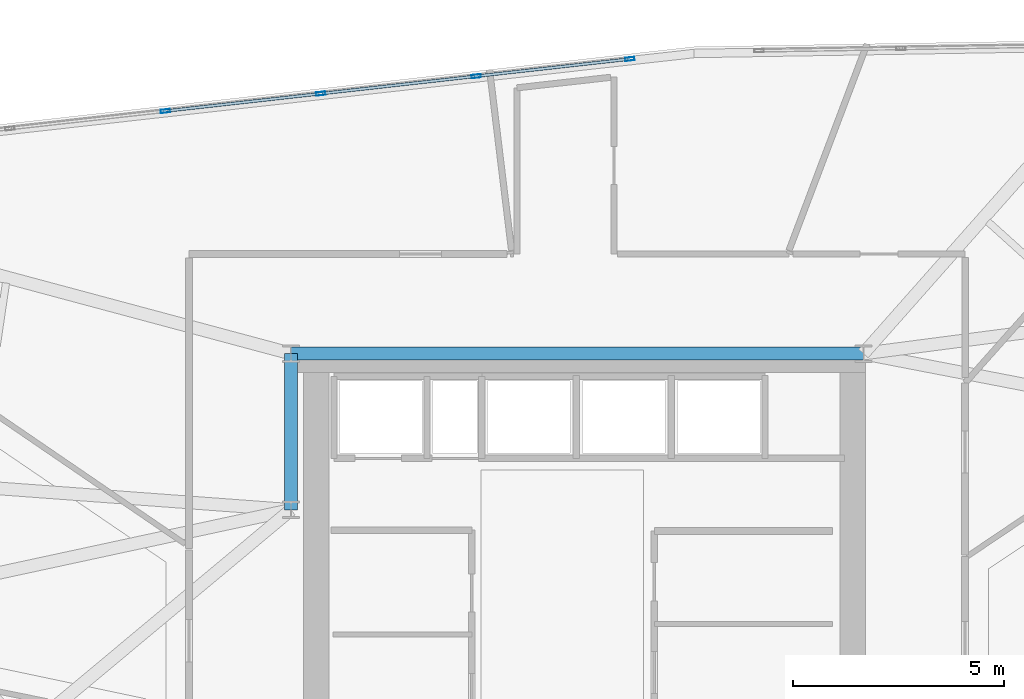
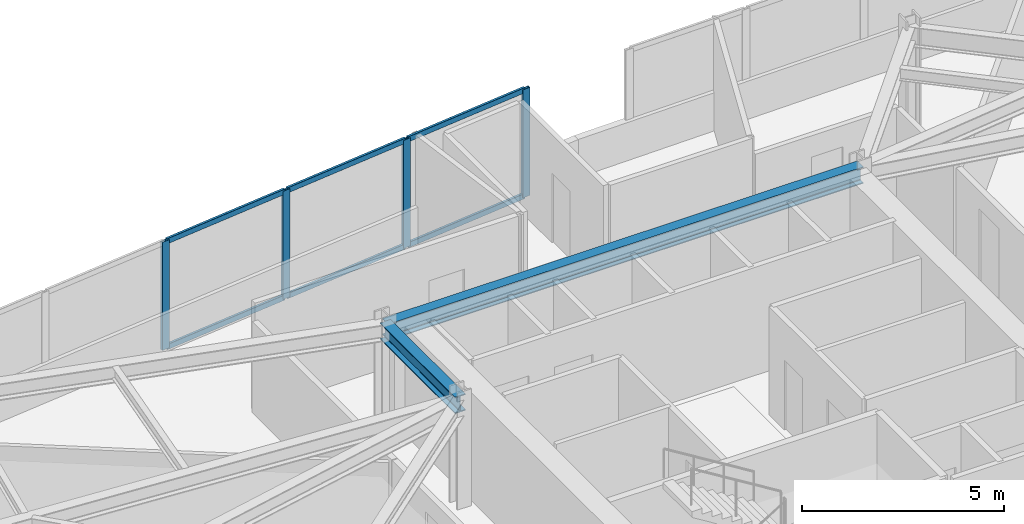
# One storey, part 3 of 14: 10 members, 2 beams, 1 element without a shape of its own.
"""IFC4 building model written with IfcOpenShell, lengths in metres."""

from ifc_helpers import new_model, si_unit, direction, frame, origin, origin_2d, place, context, subcontext, project, spatial, hollow_rectangle, i_section, extrude, material, material_profile, profile_set, type_object, element, aggregate, save


model = new_model("IFC4")

# Units and contexts
model_context = context("Model", 3, precision=1e-05, world=origin(), true_north=direction((0.0, 1.0)))
body_context = subcontext(model_context, "Body", "Model", "MODEL_VIEW")
ifc_project = project(units=[si_unit("LENGTHUNIT", "METRE"), si_unit("AREAUNIT", "SQUARE_METRE"), si_unit("VOLUMEUNIT", "CUBIC_METRE"), si_unit("PLANEANGLEUNIT", "RADIAN"), si_unit("MASSUNIT", "GRAM", prefix="KILO")], contexts=[model_context])

# Site, building, storey
site_placement = place(None, origin())
site = spatial("IfcSite", under=ifc_project, at=site_placement, CompositionType="ELEMENT")
building_placement = place(site_placement, origin())
building = spatial("IfcBuilding", under=site, at=building_placement, Name="Narakoshi Arena Tower", CompositionType="ELEMENT")
storey_placement = place(building_placement, frame((0.0, 0.0, 288.89990234375)))
storey = spatial("IfcBuildingStorey", under=building, at=storey_placement, Name="L79", CompositionType="ELEMENT", Elevation=288.89990234375)

# Beams
ifc_material_1 = material(Name="Structural steel S355J2", Category="steel")
ifc_material_profile_1 = material_profile(ifc_material_1, i_section(OverallWidth=0.300048828125, OverallDepth=0.5, WebThickness=0.014404296875, FlangeThickness=0.028076171875, FilletRadius=0.027099609375, at=origin_2d()), Name="HE500B")
ifc_profile_set_1 = profile_set([ifc_material_profile_1], Name="Structural steel S355J2")
beam_type = type_object("IfcBeamType", Name="BM-PRI-500", PredefinedType="BEAM", material=ifc_profile_set_1)
beam_1_placement = place(storey_placement, frame((72.0, 52.800048828125, 3.010009765625), z_axis=(0.0, 1.0, 0.0), x_axis=(-1.0, 0.0, 0.0)))
element("IfcBeam", 1, at=beam_1_placement, inside=storey, type_object=beam_type, Name="L79 Core Perimeter Frame Beam CC4-CC5", PredefinedType="BEAM", context=body_context, shape_type="SweptSolid", body=[
    extrude(i_section(OverallWidth=0.300048828125, OverallDepth=0.5, WebThickness=0.014404296875, FlangeThickness=0.028076171875, FilletRadius=0.027099609375, at=origin_2d()), origin(), (0.0, 0.0, 1.0), 3.699951171875),
])
beam_2_placement = place(storey_placement, frame((72.0, 56.5, 3.010009765625), z_axis=(1.0, 0.0, 0.0), x_axis=(0.0, 1.0, 0.0)))
element("IfcBeam", 2, at=beam_2_placement, inside=storey, type_object=beam_type, Name="L79 Core Perimeter Frame Beam CC5-CC6", PredefinedType="BEAM", context=body_context, shape_type="SweptSolid", body=[
    extrude(i_section(OverallWidth=0.300048828125, OverallDepth=0.5, WebThickness=0.014404296875, FlangeThickness=0.028076171875, FilletRadius=0.027099609375, at=origin_2d()), origin(), (0.0, 0.0, 1.0), 13.550048828125),
])

# Curtain wall, members
ifc_material_2 = material(Name="Clear low-iron laminated structural glass", Category="glass")
curtain_wall_type = type_object("IfcCurtainWallType", Name="CW-OBS-TMD", PredefinedType="NOTDEFINED", material=ifc_material_2)
curtain_wall_placement = place(storey_placement, origin())
curtain_wall = element("IfcCurtainWall", 3, at=curtain_wall_placement, inside=storey, type_object=curtain_wall_type, Name="L79 Folded Hypotenuse Curtain Wall 2-1", PredefinedType="NOTDEFINED")
ifc_material_3 = material(Name="Anodised bronze aluminium 6063-T6", Category="aluminium")
ifc_material_profile_2 = material_profile(ifc_material_3, hollow_rectangle(XDim=0.080078125, YDim=0.219970703125, WallThickness=0.0048828125, OuterFilletRadius=0.006103515625, at=origin_2d()), Name="MUL220x80x5")
ifc_profile_set_2 = profile_set([ifc_material_profile_2], Name="Anodised bronze aluminium 6063-T6")
member_type_1 = type_object("IfcMemberType", Name="MEM-MUL-220", PredefinedType="MULLION", material=ifc_profile_set_2)
member_1_placement = place(storey_placement, frame((80.021728515625, 63.471923828125, 0.0), z_axis=(0.0, 0.0, 1.0), x_axis=(0.111396800294, -0.9937760074, 0.0)))
member_1 = element("IfcMember", 4, at=member_1_placement, type_object=member_type_1, Name="CW-05 mullion 1", PredefinedType="MULLION", context=body_context, shape_type="SweptSolid", body=[
    extrude(hollow_rectangle(XDim=0.080078125, YDim=0.219970703125, WallThickness=0.0048828125, OuterFilletRadius=0.006103515625, at=origin_2d()), origin(), (0.0, 0.0, 1.0), 3.260009765625),
])
member_2_placement = place(storey_placement, frame((76.383544921875, 63.064208984375, 0.0), z_axis=(0.0, 0.0, 1.0), x_axis=(0.111396800294, -0.9937760074, 0.0)))
member_2 = element("IfcMember", 5, at=member_2_placement, type_object=member_type_1, Name="CW-05 mullion 2", PredefinedType="MULLION", context=body_context, shape_type="SweptSolid", body=[
    extrude(hollow_rectangle(XDim=0.080078125, YDim=0.219970703125, WallThickness=0.0048828125, OuterFilletRadius=0.006103515625, at=origin_2d()), origin(), (0.0, 0.0, 1.0), 3.260009765625),
])
member_3_placement = place(storey_placement, frame((72.705810546875, 62.65185546875, 0.0), z_axis=(0.0, 0.0, 1.0), x_axis=(0.111396800294, -0.9937760074, 0.0)))
member_3 = element("IfcMember", 6, at=member_3_placement, type_object=member_type_1, Name="CW-05 mullion 3", PredefinedType="MULLION", context=body_context, shape_type="SweptSolid", body=[
    extrude(hollow_rectangle(XDim=0.080078125, YDim=0.219970703125, WallThickness=0.0048828125, OuterFilletRadius=0.006103515625, at=origin_2d()), origin(), (0.0, 0.0, 1.0), 3.260009765625),
])
member_4_placement = place(storey_placement, frame((69.02783203125, 62.23974609375, 0.0), z_axis=(0.0, 0.0, 1.0), x_axis=(0.111396800294, -0.9937760074, 0.0)))
member_4 = element("IfcMember", 7, at=member_4_placement, type_object=member_type_1, Name="CW-05 mullion 4", PredefinedType="MULLION", context=body_context, shape_type="SweptSolid", body=[
    extrude(hollow_rectangle(XDim=0.080078125, YDim=0.219970703125, WallThickness=0.0048828125, OuterFilletRadius=0.006103515625, at=origin_2d()), origin(), (0.0, 0.0, 1.0), 3.260009765625),
])
ifc_material_profile_3 = material_profile(ifc_material_3, hollow_rectangle(XDim=0.070068359375, YDim=0.159912109375, WallThickness=0.00390625, OuterFilletRadius=0.0048828125, at=origin_2d()), Name="TRN160x70x4")
ifc_profile_set_3 = profile_set([ifc_material_profile_3], Name="Anodised bronze aluminium 6063-T6")
member_type_2 = type_object("IfcMemberType", Name="MEM-TRN-160", PredefinedType="USERDEFINED", material=ifc_profile_set_3)
member_5_placement = place(storey_placement, frame((79.98193359375, 63.467529296875, 0.03515625), z_axis=(-0.993775170147, -0.111404269211, 0.0), x_axis=(0.111404269211, -0.993775170147, 0.0)))
member_5 = element("IfcMember", 8, at=member_5_placement, type_object=member_type_2, Name="CW-05 transom 1.1", ObjectType="TRANSOM", PredefinedType="USERDEFINED", context=body_context, shape_type="SweptSolid", body=[
    extrude(hollow_rectangle(XDim=0.070068359375, YDim=0.159912109375, WallThickness=0.00390625, OuterFilletRadius=0.0048828125, at=origin_2d()), origin(), (0.0, 0.0, 1.0), 3.580810546875),
])
member_6_placement = place(storey_placement, frame((79.98193359375, 63.467529296875, 3.22509765625), z_axis=(-0.993775170147, -0.111404269211, 0.0), x_axis=(0.111404269211, -0.993775170147, 0.0)))
member_6 = element("IfcMember", 9, at=member_6_placement, type_object=member_type_2, Name="CW-05 transom 1.2", ObjectType="TRANSOM", PredefinedType="USERDEFINED", context=body_context, shape_type="SweptSolid", body=[
    extrude(hollow_rectangle(XDim=0.070068359375, YDim=0.159912109375, WallThickness=0.00390625, OuterFilletRadius=0.0048828125, at=origin_2d()), origin(), (0.0, 0.0, 1.0), 3.580810546875),
])
member_7_placement = place(storey_placement, frame((76.343994140625, 63.059814453125, 0.03515625), z_axis=(-0.993777205151, -0.111386114588, 0.0), x_axis=(0.111386114588, -0.993777205151, 0.0)))
member_7 = element("IfcMember", 10, at=member_7_placement, type_object=member_type_2, Name="CW-05 transom 2.1", ObjectType="TRANSOM", PredefinedType="USERDEFINED", context=body_context, shape_type="SweptSolid", body=[
    extrude(hollow_rectangle(XDim=0.070068359375, YDim=0.159912109375, WallThickness=0.00390625, OuterFilletRadius=0.0048828125, at=origin_2d()), origin(), (0.0, 0.0, 1.0), 3.620849609375),
])
member_8_placement = place(storey_placement, frame((76.343994140625, 63.059814453125, 3.22509765625), z_axis=(-0.993777205151, -0.111386114588, 0.0), x_axis=(0.111386114588, -0.993777205151, 0.0)))
member_8 = element("IfcMember", 11, at=member_8_placement, type_object=member_type_2, Name="CW-05 transom 2.2", ObjectType="TRANSOM", PredefinedType="USERDEFINED", context=body_context, shape_type="SweptSolid", body=[
    extrude(hollow_rectangle(XDim=0.070068359375, YDim=0.159912109375, WallThickness=0.00390625, OuterFilletRadius=0.0048828125, at=origin_2d()), origin(), (0.0, 0.0, 1.0), 3.620849609375),
])
member_9_placement = place(storey_placement, frame((72.666015625, 62.6474609375, 0.03515625), z_axis=(-0.993777205151, -0.111386114588, 0.0), x_axis=(0.111386114588, -0.993777205151, 0.0)))
member_9 = element("IfcMember", 12, at=member_9_placement, type_object=member_type_2, Name="CW-05 transom 3.1", ObjectType="TRANSOM", PredefinedType="USERDEFINED", context=body_context, shape_type="SweptSolid", body=[
    extrude(hollow_rectangle(XDim=0.070068359375, YDim=0.159912109375, WallThickness=0.00390625, OuterFilletRadius=0.0048828125, at=origin_2d()), origin(), (0.0, 0.0, 1.0), 3.620849609375),
])
member_10_placement = place(storey_placement, frame((72.666015625, 62.6474609375, 3.22509765625), z_axis=(-0.993777205151, -0.111386114588, 0.0), x_axis=(0.111386114588, -0.993777205151, 0.0)))
member_10 = element("IfcMember", 13, at=member_10_placement, type_object=member_type_2, Name="CW-05 transom 3.2", ObjectType="TRANSOM", PredefinedType="USERDEFINED", context=body_context, shape_type="SweptSolid", body=[
    extrude(hollow_rectangle(XDim=0.070068359375, YDim=0.159912109375, WallThickness=0.00390625, OuterFilletRadius=0.0048828125, at=origin_2d()), origin(), (0.0, 0.0, 1.0), 3.620849609375),
])
aggregate(curtain_wall, [member_1, member_2, member_3, member_4, member_5, member_6, member_7, member_8, member_9, member_10])

save(model, "model.ifc")
